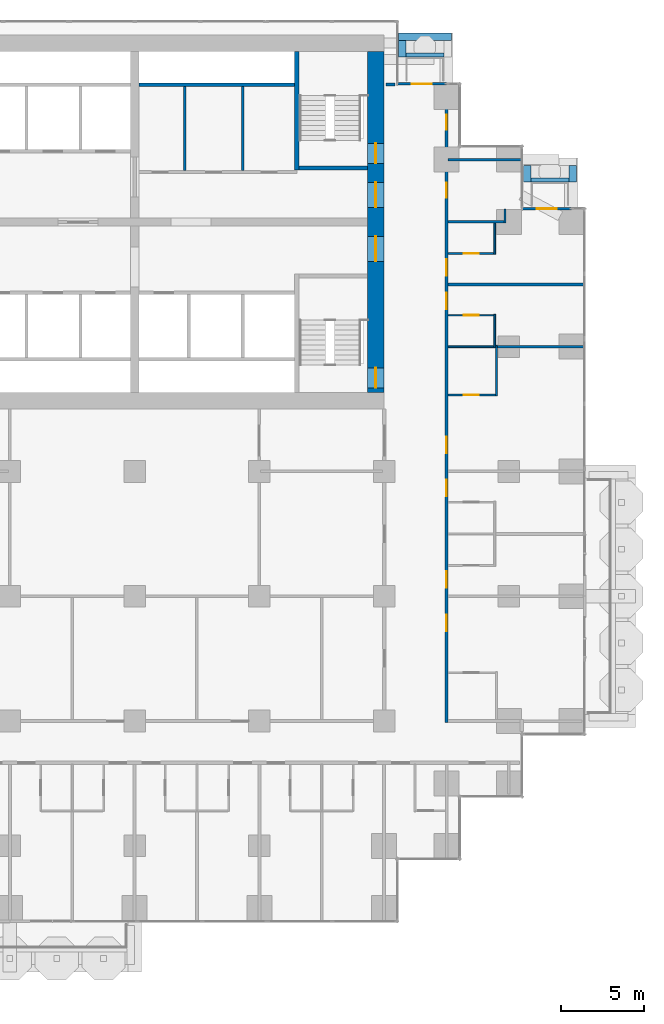
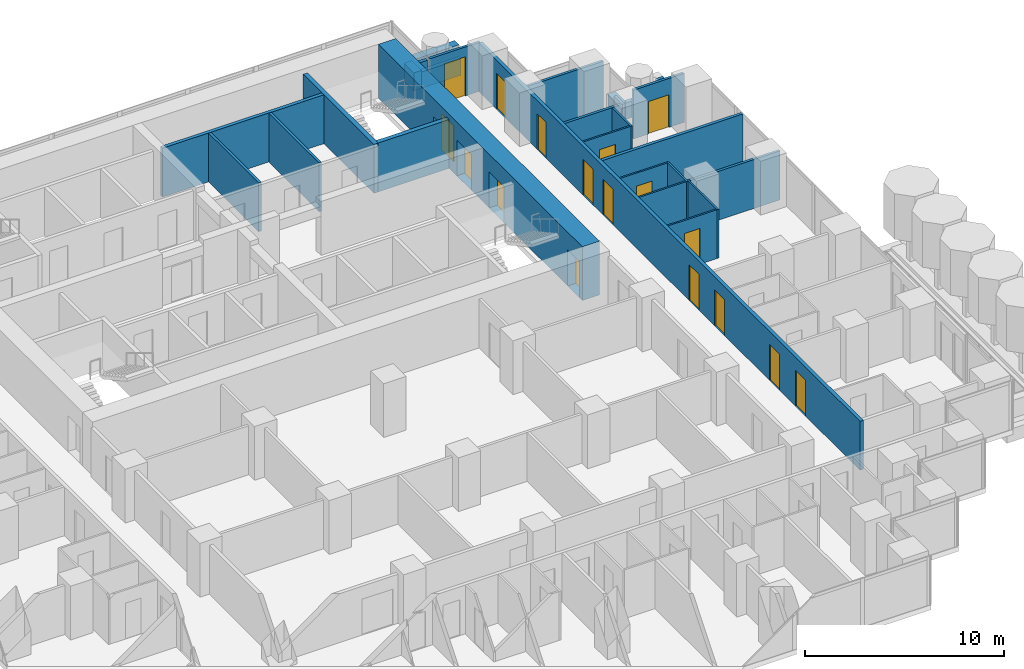
# One storey, part 15 of 19: 28 walls, 17 doors, 17 openings.
"""IFC4 building model written with IfcOpenShell, lengths in metres."""

import ifcopenshell
import ifcopenshell.guid

model = None  # the IFC model being written
_history = None  # IfcOwnerHistory: only IFC2X3 demands one
_inside = {}  # id of a spatial element -> (the spatial element, [elements in it])
_under = {}  # id of a project, library or spatial element -> (it, [spatial elements below it])
_declared = {}  # id of a project -> (the project, [libraries it declares])
_typed = {}  # id of a type object -> (the type object, [elements of that type])
_made_of = {}  # id of a material, layer set ... -> (it, [elements and type objects made of it])


def new_model(schema):
    """Start an empty IFC model of exactly this schema.

    Asked for "IFC4X3", IfcOpenShell would pick the latest addendum, in which some entities
    have other attributes; the version numbers below select the first issue.
    IFC2X3 requires an IfcOwnerHistory on every rooted entity: one is made here for all.
    """
    global model, _history
    if schema == "IFC4X3":
        model = ifcopenshell.file(schema_version=(4, 3, 0, 0))
    else:
        model = ifcopenshell.file(schema=schema)
    _inside.clear()
    _under.clear()
    _declared.clear()
    _typed.clear()
    _made_of.clear()
    _history = None
    if model.schema == "IFC2X3":
        org = make("IfcOrganization", Name="unknown")
        user = make(
            "IfcPersonAndOrganization",
            ThePerson=make("IfcPerson", FamilyName="unknown"),
            TheOrganization=org,
        )
        app = make(
            "IfcApplication",
            ApplicationDeveloper=org,
            Version="unknown",
            ApplicationFullName="unknown",
            ApplicationIdentifier="unknown",
        )
        _history = make(
            "IfcOwnerHistory",
            OwningUser=user,
            OwningApplication=app,
            ChangeAction="ADDED",
            CreationDate=0,
        )
    return model


def make(cls, **values):
    """One entity of the class cls with the attributes given. An attribute that is None is left unset."""
    return model.create_entity(
        cls, **{name: value for name, value in values.items() if value is not None}
    )


def rooted(cls, **values):
    """An entity with a GlobalId (a new one), such as an element, a storey or a relation."""
    return make(cls, GlobalId=ifcopenshell.guid.new(), OwnerHistory=_history, **values)


def si_unit(unit_type, name, prefix=None):
    """IfcSIUnit, for example si_unit("LENGTHUNIT", "METRE", prefix="MILLI")."""
    return make("IfcSIUnit", UnitType=unit_type, Prefix=prefix, Name=name)


def assignment(units):
    """IfcUnitAssignment: the units of a project."""
    return None if units is None else make("IfcUnitAssignment", Units=units)


def point(xyz):
    """IfcCartesianPoint."""
    return None if xyz is None else make("IfcCartesianPoint", Coordinates=xyz)


def direction(xyz):
    """IfcDirection."""
    return None if xyz is None else make("IfcDirection", DirectionRatios=xyz)


def frame(location, z_axis=None, x_axis=None):
    """IfcAxis2Placement3D, a coordinate frame: its origin and axes. An axis left out is left unset."""
    return make(
        "IfcAxis2Placement3D",
        Location=point(location),
        Axis=direction(z_axis),
        RefDirection=direction(x_axis),
    )


def frame_2d(location, x_axis=None):
    """IfcAxis2Placement2D, a coordinate frame in the plane: its origin and x axis."""
    return make(
        "IfcAxis2Placement2D", Location=point(location), RefDirection=direction(x_axis)
    )


def origin():
    """The frame at (0, 0, 0) with its axes left unset."""
    return frame((0.0, 0.0, 0.0))


def place(relative_to, where):
    """IfcLocalPlacement: puts the frame where relative to a parent placement (None: the world)."""
    return make(
        "IfcLocalPlacement", PlacementRelTo=relative_to, RelativePlacement=where
    )


def context(
    kind, dimensions, precision=None, world=None, true_north=None, identifier=None
):
    """IfcGeometricRepresentationContext, for example the 3D "Model" context."""
    return make(
        "IfcGeometricRepresentationContext",
        ContextIdentifier=identifier,
        ContextType=kind,
        CoordinateSpaceDimension=dimensions,
        Precision=precision,
        WorldCoordinateSystem=world,
        TrueNorth=true_north,
    )


def subcontext(parent, identifier, kind, view, scale=None):
    """IfcGeometricRepresentationSubContext, for example "Body" below "Model"."""
    return make(
        "IfcGeometricRepresentationSubContext",
        ContextIdentifier=identifier,
        ContextType=kind,
        ParentContext=parent,
        TargetScale=scale,
        TargetView=view,
    )


def project(units=None, contexts=None):
    """IfcProject with its units and contexts."""
    return rooted(
        "IfcProject",
        Name="project",
        RepresentationContexts=contexts,
        UnitsInContext=assignment(units),
    )


def spatial(cls, under=None, at=None, **own):
    """A site, building, storey or space (cls), placed at a placement, below another one or the project."""
    s = rooted(cls, ObjectPlacement=at, **own)
    if under is not None:
        _under.setdefault(under.id(), (under, []))[1].append(s)
    return s


def profile(cls, at=None, kind="AREA", **sizes):
    """A parametric profile (cls). Its sizes go by their IFC names, for example OverallWidth=200.0."""
    return make(cls, ProfileType=kind, Position=at, **sizes)


def rectangle(**sizes):
    """IfcRectangleProfileDef."""
    return profile("IfcRectangleProfileDef", **sizes)


def extrude(swept, where, along, depth):
    """IfcExtrudedAreaSolid: the profile swept, set in the frame where, extruded along a direction by depth."""
    return make(
        "IfcExtrudedAreaSolid",
        SweptArea=swept,
        Position=where,
        ExtrudedDirection=direction(along),
        Depth=depth,
    )


def shape(context_of_items, identifier, shape_type, items):
    """IfcShapeRepresentation: the items that make up one representation, for example the "Body"."""
    return make(
        "IfcShapeRepresentation",
        ContextOfItems=context_of_items,
        RepresentationIdentifier=identifier,
        RepresentationType=shape_type,
        Items=items,
    )


def material(Name=None, Category=None):
    """IfcMaterial."""
    return make("IfcMaterial", Name=Name, Category=Category)


def layer(
    of_material, thickness, ventilated=None, Name=None, Category=None, Priority=None
):
    """IfcMaterialLayer: one layer of a wall or slab, of a material (None: an air gap)."""
    return make(
        "IfcMaterialLayer",
        Material=of_material,
        LayerThickness=thickness,
        IsVentilated=ventilated,
        Name=Name,
        Category=Category,
        Priority=Priority,
    )


def layer_set(layers, Name=None):
    """IfcMaterialLayerSet."""
    return make("IfcMaterialLayerSet", MaterialLayers=layers, LayerSetName=Name)


def made_of(thing, what):
    """Note that an element or type object is made of a material, layer set ...; save() writes the relation."""
    if what is not None:
        _made_of.setdefault(what.id(), (what, []))[1].append(thing)
    return thing


def type_object(cls, material=None, **own):
    """A type object (cls), such as IfcWallType, which elements share."""
    return made_of(rooted(cls, **own), material)


def element(
    cls,
    number,
    at=None,
    inside=None,
    cuts=None,
    type_object=None,
    material=None,
    context=None,
    identifier="Body",
    shape_type=None,
    held_by="IfcProductDefinitionShape",
    body=None,
    shapes=None,
    **own,
):
    """One element of the class cls, such as IfcWall. Its Tag is "e" and its number.

    at: its placement. inside: the storey or other place that contains it. cuts: it is an
    opening in that element (IfcRelVoidsElement). A single representation is given by context,
    identifier, shape_type and body (its items); several are given by shapes. held_by: the class
    of the entity that holds the representations. save() writes the other relations.
    """
    e = rooted(cls, Tag="e%d" % number, ObjectPlacement=at, **own)
    if body is not None:
        shapes = [shape(context, identifier, shape_type, body)]
    if shapes is not None:
        e.Representation = make(held_by, Representations=shapes)
    if inside is not None:
        _inside.setdefault(inside.id(), (inside, []))[1].append(e)
    if cuts is not None:
        rooted(
            "IfcRelVoidsElement", RelatingBuildingElement=cuts, RelatedOpeningElement=e
        )
    if type_object is not None:
        _typed.setdefault(type_object.id(), (type_object, []))[1].append(e)
    return made_of(e, material)


def fill(opening, filler):
    """IfcRelFillsElement: the door or window that sits in an opening."""
    return rooted(
        "IfcRelFillsElement",
        RelatingOpeningElement=opening,
        RelatedBuildingElement=filler,
    )


def aggregate(whole, parts):
    """IfcRelAggregates: a whole, such as a stair, and the parts it consists of."""
    return rooted("IfcRelAggregates", RelatingObject=whole, RelatedObjects=parts)


def save(model, path):
    """Write the relations noted so far, then the file.

    IfcRelAggregates (storeys below a building ...), IfcRelContainedInSpatialStructure (elements
    in a storey), IfcRelDefinesByType, IfcRelAssociatesMaterial and IfcRelDeclares: one each for
    every whole, place, type object, material and project.
    """
    for whole, parts in _under.values():
        aggregate(whole, parts)
    for where, things in _inside.values():
        rooted(
            "IfcRelContainedInSpatialStructure",
            RelatedElements=things,
            RelatingStructure=where,
        )
    for kind, things in _typed.values():
        rooted("IfcRelDefinesByType", RelatedObjects=things, RelatingType=kind)
    for what, things in _made_of.values():
        rooted("IfcRelAssociatesMaterial", RelatedObjects=things, RelatingMaterial=what)
    for by, libraries in _declared.values():
        rooted("IfcRelDeclares", RelatingContext=by, RelatedDefinitions=libraries)
    model.write(path)


model = new_model("IFC4")

# Units and contexts
model_context = context("Model", 3, precision=1e-05, world=origin(), true_north=direction((0.0, 1.0)))
body_context = subcontext(model_context, "Body", "Model", "MODEL_VIEW")
ifc_project = project(units=[si_unit("LENGTHUNIT", "METRE"), si_unit("AREAUNIT", "SQUARE_METRE"), si_unit("VOLUMEUNIT", "CUBIC_METRE"), si_unit("PLANEANGLEUNIT", "RADIAN"), si_unit("MASSUNIT", "GRAM", prefix="KILO")], contexts=[model_context])

# Site, building, storey
site_placement = place(None, origin())
site = spatial("IfcSite", under=ifc_project, at=site_placement, CompositionType="ELEMENT")
building_placement = place(site_placement, origin())
building = spatial("IfcBuilding", under=site, at=building_placement, Name="Pilkhan Gate Tower", CompositionType="ELEMENT")
storey_placement = place(building_placement, frame((0.0, 0.0, 95.60009765625)))
storey = spatial("IfcBuildingStorey", under=building, at=storey_placement, Name="L23", CompositionType="ELEMENT", Elevation=95.60009765625)

# Walls
ifc_material_1 = material(Name="Dense blockwork", Category="masonry")
ifc_layer_1 = layer(ifc_material_1, 0.175048828125)
ifc_layer_set_1 = layer_set([ifc_layer_1], Name="Acoustic party wall PW175")
wall_type_1 = type_object("IfcWallType", Name="Acoustic party wall PW175", PredefinedType="PARTITIONING", material=ifc_layer_set_1)
wall_1_placement = place(storey_placement, frame((93.85009765625, 78.75, 0.0), z_axis=(0.0, 0.0, 1.0), x_axis=(1.0, 0.0, 0.0)))
element("IfcWall", 1, at=wall_1_placement, inside=storey, type_object=wall_type_1, Name="Partition L23", PredefinedType="PARTITIONING", context=body_context, shape_type="SweptSolid", body=[
    extrude(rectangle(XDim=8.164794921875, YDim=0.175048828125, at=frame_2d((4.08251953125, 0.0))), origin(), (0.0, 0.0, 1.0), 3.0),
])
ifc_material_2 = material(Name="Concrete C40/50", Category="concrete")
ifc_layer_2 = layer(ifc_material_2, 0.25)
ifc_layer_set_2 = layer_set([ifc_layer_2], Name="Balcony planter BP250")
wall_type_2 = type_object("IfcWallType", Name="Balcony planter BP250", PredefinedType="USERDEFINED", material=ifc_layer_set_2)
wall_2_placement = place(storey_placement, frame((91.300048828125, 92.52490234375, 0.0), z_axis=(0.0, 0.0, 1.0), x_axis=(1.0, 0.0, 0.0)))
element("IfcWall", 2, at=wall_2_placement, inside=storey, type_object=wall_type_2, Name="Balcony planter L23 N", ObjectType="BALCONY PLANTER", PredefinedType="USERDEFINED", context=body_context, shape_type="SweptSolid", body=[
    extrude(rectangle(XDim=2.300048828125, YDim=0.25, at=frame_2d((1.14990234375, 0.0))), origin(), (0.0, 0.0, 1.0), 1.0),
])
wall_3_placement = place(storey_placement, frame((98.820068359375, 85.02490234375, 0.0), z_axis=(0.0, 0.0, 1.0), x_axis=(1.0, 0.0, 0.0)))
element("IfcWall", 3, at=wall_3_placement, inside=storey, type_object=wall_type_2, Name="Balcony planter L23 N", ObjectType="BALCONY PLANTER", PredefinedType="USERDEFINED", context=body_context, shape_type="SweptSolid", body=[
    extrude(rectangle(XDim=2.280029296875, YDim=0.25, at=frame_2d((1.14013671875, 0.0))), origin(), (0.0, 0.0, 1.0), 1.0),
])
ifc_material_3 = material(Name="Board-marked Concrete C40/50", Category="concrete")
ifc_layer_3 = layer(ifc_material_3, 0.449951171875)
ifc_layer_set_3 = layer_set([ifc_layer_3], Name="Balcony planter lip BL450")
wall_type_3 = type_object("IfcWallType", Name="Balcony planter lip BL450", PredefinedType="USERDEFINED", material=ifc_layer_set_3)
wall_4_placement = place(storey_placement, frame((90.85009765625, 93.625, 0.0), z_axis=(0.0, 0.0, 1.0), x_axis=(1.0, 0.0, 0.0)))
element("IfcWall", 4, at=wall_4_placement, inside=storey, type_object=wall_type_3, Name="Balcony planter L23 N", ObjectType="BALCONY PLANTER", PredefinedType="USERDEFINED", context=body_context, shape_type="SweptSolid", body=[
    extrude(rectangle(XDim=3.199951171875, YDim=0.449951171875, at=frame_2d((1.60009765625, 0.0))), origin(), (0.0, 0.0, 1.0), 1.099853515625),
])
for number, where, z_axis, x_axis, name in (
    (5, (91.074951171875, 92.39990234375, 0.0), (0.0, 0.0, 1.0), (0.0, 1.0, 0.0), "Balcony planter L23 N"),
    (6, (98.594970703125, 84.89990234375, 0.0), (0.0, 0.0, 1.0), (0.0, 1.0, 0.0), "Balcony planter L23 N"),
    (7, (101.324951171875, 84.89990234375, 0.0), (0.0, 0.0, 1.0), (0.0, 1.0, 0.0), "Balcony planter L23 N"),
):
    element("IfcWall", number, at=place(storey_placement, frame(where, z_axis=z_axis, x_axis=x_axis)), inside=storey, type_object=wall_type_3, Name=name, ObjectType="BALCONY PLANTER", PredefinedType="USERDEFINED", context=body_context, shape_type="SweptSolid", body=[
        extrude(rectangle(XDim=1.0, YDim=0.449951171875, at=frame_2d((0.5, 0.0))), origin(), (0.0, 0.0, 1.0), 1.099853515625),
    ])

# Wall, openings, doors
ifc_material_4 = material(Name="Concrete C70/85", Category="concrete")
ifc_layer_4 = layer(ifc_material_4, 1.0)
ifc_layer_set_4 = layer_set([ifc_layer_4], Name="Core wall CW1000 C70/85")
wall_type_4 = type_object("IfcWallType", Name="Core wall CW1000 C70/85", PredefinedType="SHEAR", material=ifc_layer_set_4)
wall_5_placement = place(storey_placement, frame((89.5, 72.25, 0.0), z_axis=(0.0, 0.0, 1.0), x_axis=(0.0, 1.0, 0.0)))
wall_5 = element("IfcWall", 8, at=wall_5_placement, inside=storey, type_object=wall_type_4, Name="Core wall E L23", PredefinedType="SHEAR", context=body_context, shape_type="SweptSolid", body=[
    extrude(rectangle(XDim=20.5, YDim=1.0, at=frame_2d((10.25, 0.0))), origin(), (0.0, 0.0, 1.0), 3.2998046875),
])
opening_1_placement = place(wall_5_placement, frame((0.27490234375, 0.0, 0.0)))
opening_1 = element("IfcOpeningElement", 9, at=opening_1_placement, cuts=wall_5, Name="Opening L23-03", PredefinedType="OPENING", context=body_context, shape_type="SweptSolid", body=[
    extrude(rectangle(XDim=1.199951171875, YDim=2.199951171875, at=frame_2d((0.60009765625, 1.10009765625))), frame((0.0, 0.510009765625, 0.0), z_axis=(0.0, -1.0, 0.0), x_axis=(1.0, 0.0, 0.0)), (0.0, 0.0, 1.0), 1.02001953125),
])
opening_2_placement = place(wall_5_placement, frame((13.77490234375, 0.0, 0.0)))
opening_2 = element("IfcOpeningElement", 10, at=opening_2_placement, cuts=wall_5, Name="Opening L23-05", PredefinedType="OPENING", context=body_context, shape_type="SweptSolid", body=[
    extrude(rectangle(XDim=1.199951171875, YDim=2.199951171875, at=frame_2d((0.60009765625, 1.10009765625))), frame((0.0, 0.510009765625, 0.0), z_axis=(0.0, -1.0, 0.0), x_axis=(1.0, 0.0, 0.0)), (0.0, 0.0, 1.0), 1.02001953125),
])
opening_3_placement = place(wall_5_placement, frame((7.875, 0.0, 0.0)))
opening_3 = element("IfcOpeningElement", 11, at=opening_3_placement, cuts=wall_5, Name="Opening L23-50", PredefinedType="OPENING", context=body_context, shape_type="SweptSolid", body=[
    extrude(rectangle(XDim=1.5, YDim=2.199951171875, at=frame_2d((0.75, 1.10009765625))), frame((0.0, 0.510009765625, 0.0), z_axis=(0.0, -1.0, 0.0), x_axis=(1.0, 0.0, 0.0)), (0.0, 0.0, 1.0), 1.02001953125),
])
opening_4_placement = place(wall_5_placement, frame((11.125, 0.0, 0.0)))
opening_4 = element("IfcOpeningElement", 12, at=opening_4_placement, cuts=wall_5, Name="Opening L23-52", PredefinedType="OPENING", context=body_context, shape_type="SweptSolid", body=[
    extrude(rectangle(XDim=1.5, YDim=2.199951171875, at=frame_2d((0.75, 1.10009765625))), frame((0.0, 0.510009765625, 0.0), z_axis=(0.0, -1.0, 0.0), x_axis=(1.0, 0.0, 0.0)), (0.0, 0.0, 1.0), 1.02001953125),
])
ifc_material_5 = material(Name="Steel framed glazed door, 60 minute fire resisting", Category="steel")
door_type_1 = type_object("IfcDoorType", Name="Lobby door D09 1500x2200", OperationType="DOUBLE_DOOR_SINGLE_SWING", PredefinedType="DOOR", material=ifc_material_5)
door_1_placement = place(opening_3_placement, origin())
door_1 = element("IfcDoor", 13, at=door_1_placement, inside=storey, type_object=door_type_1, Name="Core door", OperationType="DOUBLE_DOOR_SINGLE_SWING", OverallHeight=2.199951171875, OverallWidth=1.5, PredefinedType="DOOR", context=body_context, shape_type="SweptSolid", body=[
    extrude(rectangle(XDim=1.5, YDim=2.199951171875, at=frame_2d((0.75, 1.10009765625))), frame((0.0, 0.02490234375, 0.0), z_axis=(0.0, -1.0, 0.0), x_axis=(1.0, 0.0, 0.0)), (0.0, 0.0, 1.0), 0.050048828125),
])
fill(opening_3, door_1)
door_2_placement = place(opening_4_placement, origin())
door_2 = element("IfcDoor", 14, at=door_2_placement, inside=storey, type_object=door_type_1, Name="Core door", OperationType="DOUBLE_DOOR_SINGLE_SWING", OverallHeight=2.199951171875, OverallWidth=1.5, PredefinedType="DOOR", context=body_context, shape_type="SweptSolid", body=[
    extrude(rectangle(XDim=1.5, YDim=2.199951171875, at=frame_2d((0.75, 1.10009765625))), frame((0.0, 0.02490234375, 0.0), z_axis=(0.0, -1.0, 0.0), x_axis=(1.0, 0.0, 0.0)), (0.0, 0.0, 1.0), 0.050048828125),
])
fill(opening_4, door_2)
ifc_material_6 = material(Name="Steel door, 120 minute fire resisting, panic bar", Category="steel")
door_type_2 = type_object("IfcDoorType", Name="Stair door D11 1200x2200", OperationType="SINGLE_SWING_LEFT", PredefinedType="DOOR", material=ifc_material_6)
door_3_placement = place(opening_1_placement, origin())
door_3 = element("IfcDoor", 15, at=door_3_placement, inside=storey, type_object=door_type_2, Name="Stair ST1 door", OperationType="SINGLE_SWING_LEFT", OverallHeight=2.199951171875, OverallWidth=1.199951171875, PredefinedType="DOOR", context=body_context, shape_type="SweptSolid", body=[
    extrude(rectangle(XDim=1.199951171875, YDim=2.199951171875, at=frame_2d((0.60009765625, 1.10009765625))), frame((0.0, 0.02490234375, 0.0), z_axis=(0.0, -1.0, 0.0), x_axis=(1.0, 0.0, 0.0)), (0.0, 0.0, 1.0), 0.050048828125),
])
fill(opening_1, door_3)
door_4_placement = place(opening_2_placement, origin())
door_4 = element("IfcDoor", 16, at=door_4_placement, inside=storey, type_object=door_type_2, Name="Stair ST4 door", OperationType="SINGLE_SWING_RIGHT", OverallHeight=2.199951171875, OverallWidth=1.199951171875, PredefinedType="DOOR", context=body_context, shape_type="SweptSolid", body=[
    extrude(rectangle(XDim=1.199951171875, YDim=2.199951171875, at=frame_2d((0.60009765625, 1.10009765625))), frame((0.0, 0.02490234375, 0.0), z_axis=(0.0, -1.0, 0.0), x_axis=(1.0, 0.0, 0.0)), (0.0, 0.0, 1.0), 0.050048828125),
])
fill(opening_2, door_4)

# Wall
ifc_layer_5 = layer(ifc_material_1, 0.199951171875)
ifc_layer_set_5 = layer_set([ifc_layer_5], Name="Corridor wall FW200")
wall_type_5 = type_object("IfcWallType", Name="Corridor wall FW200", PredefinedType="PARTITIONING", material=ifc_layer_set_5)
wall_6_placement = place(storey_placement, frame((90.1201171875, 90.764892578125, 0.0), z_axis=(0.0, 0.0, 1.0), x_axis=(1.0, 0.0, 0.0)))
element("IfcWall", 17, at=wall_6_placement, inside=storey, type_object=wall_type_5, Name="Partition L23", PredefinedType="PARTITIONING", context=body_context, shape_type="SweptSolid", body=[
    extrude(rectangle(XDim=0.52490234375, YDim=0.199951171875, at=frame_2d((0.262451171875, 0.0))), origin(), (0.0, 0.0, 1.0), 3.0),
])

# Wall, openings, doors
wall_7_placement = place(storey_placement, frame((93.75, 52.39990234375, 0.0), z_axis=(0.0, 0.0, 1.0), x_axis=(0.0, 1.0, 0.0)))
wall_7 = element("IfcWall", 18, at=wall_7_placement, inside=storey, type_object=wall_type_5, Name="Partition L23", PredefinedType="PARTITIONING", context=body_context, shape_type="SweptSolid", body=[
    extrude(rectangle(XDim=38.31005859375, YDim=0.199951171875, at=frame_2d((19.155029296875, 0.0))), origin(), (0.0, 0.0, 1.0), 3.0),
])
opening_5_placement = place(wall_7_placement, frame((5.5, 0.0, 0.0)))
opening_5 = element("IfcOpeningElement", 19, at=opening_5_placement, cuts=wall_7, Name="Opening L23-38", PredefinedType="OPENING", context=body_context, shape_type="SweptSolid", body=[
    extrude(rectangle(XDim=1.0, YDim=2.199951171875, at=frame_2d((0.5, 1.10009765625))), frame((0.0, 0.10986328125, 0.0), z_axis=(0.0, -1.0, 0.0), x_axis=(1.0, 0.0, 0.0)), (0.0, 0.0, 1.0), 0.219970703125),
])
opening_6_placement = place(wall_7_placement, frame((8.10009765625, 0.0, 0.0)))
opening_6 = element("IfcOpeningElement", 20, at=opening_6_placement, cuts=wall_7, Name="Opening L23-40", PredefinedType="OPENING", context=body_context, shape_type="SweptSolid", body=[
    extrude(rectangle(XDim=1.0, YDim=2.199951171875, at=frame_2d((0.5, 1.10009765625))), frame((0.0, 0.10986328125, 0.0), z_axis=(0.0, -1.0, 0.0), x_axis=(1.0, 0.0, 0.0)), (0.0, 0.0, 1.0), 0.219970703125),
])
opening_7_placement = place(wall_7_placement, frame((13.60009765625, 0.0, 0.0)))
opening_7 = element("IfcOpeningElement", 21, at=opening_7_placement, cuts=wall_7, Name="Opening L23-42", PredefinedType="OPENING", context=body_context, shape_type="SweptSolid", body=[
    extrude(rectangle(XDim=1.0, YDim=2.199951171875, at=frame_2d((0.5, 1.10009765625))), frame((0.0, 0.10986328125, 0.0), z_axis=(0.0, -1.0, 0.0), x_axis=(1.0, 0.0, 0.0)), (0.0, 0.0, 1.0), 0.219970703125),
])
opening_8_placement = place(wall_7_placement, frame((16.199951171875, 0.0, 0.0)))
opening_8 = element("IfcOpeningElement", 22, at=opening_8_placement, cuts=wall_7, Name="Opening L23-44", PredefinedType="OPENING", context=body_context, shape_type="SweptSolid", body=[
    extrude(rectangle(XDim=1.0, YDim=2.199951171875, at=frame_2d((0.5, 1.10009765625))), frame((0.0, 0.10986328125, 0.0), z_axis=(0.0, -1.0, 0.0), x_axis=(1.0, 0.0, 0.0)), (0.0, 0.0, 1.0), 0.219970703125),
])
opening_9_placement = place(wall_7_placement, frame((24.85009765625, 0.0, 0.0)))
opening_9 = element("IfcOpeningElement", 23, at=opening_9_placement, cuts=wall_7, Name="Opening L23-46", PredefinedType="OPENING", context=body_context, shape_type="SweptSolid", body=[
    extrude(rectangle(XDim=1.0, YDim=2.199951171875, at=frame_2d((0.5, 1.10009765625))), frame((0.0, 0.10986328125, 0.0), z_axis=(0.0, -1.0, 0.0), x_axis=(1.0, 0.0, 0.0)), (0.0, 0.0, 1.0), 0.219970703125),
])
opening_10_placement = place(wall_7_placement, frame((26.85009765625, 0.0, 0.0)))
opening_10 = element("IfcOpeningElement", 24, at=opening_10_placement, cuts=wall_7, Name="Opening L23-48", PredefinedType="OPENING", context=body_context, shape_type="SweptSolid", body=[
    extrude(rectangle(XDim=1.0, YDim=2.199951171875, at=frame_2d((0.5, 1.10009765625))), frame((0.0, 0.10986328125, 0.0), z_axis=(0.0, -1.0, 0.0), x_axis=(1.0, 0.0, 0.0)), (0.0, 0.0, 1.0), 0.219970703125),
])
opening_11_placement = place(wall_7_placement, frame((31.550048828125, 0.0, 0.0)))
opening_11 = element("IfcOpeningElement", 25, at=opening_11_placement, cuts=wall_7, Name="Opening L23-60", PredefinedType="OPENING", context=body_context, shape_type="SweptSolid", body=[
    extrude(rectangle(XDim=0.89990234375, YDim=2.199951171875, at=frame_2d((0.449951171875, 1.10009765625))), frame((0.0, 0.10986328125, 0.0), z_axis=(0.0, -1.0, 0.0), x_axis=(1.0, 0.0, 0.0)), (0.0, 0.0, 1.0), 0.219970703125),
])
opening_12_placement = place(wall_7_placement, frame((35.64990234375, 0.0, 0.0)))
opening_12 = element("IfcOpeningElement", 26, at=opening_12_placement, cuts=wall_7, Name="Opening L23-61", PredefinedType="OPENING", context=body_context, shape_type="SweptSolid", body=[
    extrude(rectangle(XDim=0.89990234375, YDim=2.199951171875, at=frame_2d((0.449951171875, 1.10009765625))), frame((0.0, 0.10986328125, 0.0), z_axis=(0.0, -1.0, 0.0), x_axis=(1.0, 0.0, 0.0)), (0.0, 0.0, 1.0), 0.219970703125),
])
ifc_material_7 = material(Name="Timber flush door, 30 minute fire resisting", Category="wood")
door_type_3 = type_object("IfcDoorType", Name="Guest room door D01 1000x2200", OperationType="SINGLE_SWING_LEFT", PredefinedType="DOOR", material=ifc_material_7)
door_5_placement = place(opening_5_placement, origin())
door_5 = element("IfcDoor", 27, at=door_5_placement, inside=storey, type_object=door_type_3, Name="Guest room door", OperationType="SINGLE_SWING_LEFT", OverallHeight=2.199951171875, OverallWidth=1.0, PredefinedType="DOOR", context=body_context, shape_type="SweptSolid", body=[
    extrude(rectangle(XDim=1.0, YDim=2.199951171875, at=frame_2d((0.5, 1.10009765625))), frame((0.0, 0.02490234375, 0.0), z_axis=(0.0, -1.0, 0.0), x_axis=(1.0, 0.0, 0.0)), (0.0, 0.0, 1.0), 0.050048828125),
])
fill(opening_5, door_5)
door_6_placement = place(opening_6_placement, origin())
door_6 = element("IfcDoor", 28, at=door_6_placement, inside=storey, type_object=door_type_3, Name="Guest room door", OperationType="SINGLE_SWING_RIGHT", OverallHeight=2.199951171875, OverallWidth=1.0, PredefinedType="DOOR", context=body_context, shape_type="SweptSolid", body=[
    extrude(rectangle(XDim=1.0, YDim=2.199951171875, at=frame_2d((0.5, 1.10009765625))), frame((0.0, 0.02490234375, 0.0), z_axis=(0.0, -1.0, 0.0), x_axis=(1.0, 0.0, 0.0)), (0.0, 0.0, 1.0), 0.050048828125),
])
fill(opening_6, door_6)
door_7_placement = place(opening_7_placement, origin())
door_7 = element("IfcDoor", 29, at=door_7_placement, inside=storey, type_object=door_type_3, Name="Guest room door", OperationType="SINGLE_SWING_RIGHT", OverallHeight=2.199951171875, OverallWidth=1.0, PredefinedType="DOOR", context=body_context, shape_type="SweptSolid", body=[
    extrude(rectangle(XDim=1.0, YDim=2.199951171875, at=frame_2d((0.5, 1.10009765625))), frame((0.0, 0.02490234375, 0.0), z_axis=(0.0, -1.0, 0.0), x_axis=(1.0, 0.0, 0.0)), (0.0, 0.0, 1.0), 0.050048828125),
])
fill(opening_7, door_7)
door_8_placement = place(opening_8_placement, origin())
door_8 = element("IfcDoor", 30, at=door_8_placement, inside=storey, type_object=door_type_3, Name="Guest room door", OperationType="SINGLE_SWING_LEFT", OverallHeight=2.199951171875, OverallWidth=1.0, PredefinedType="DOOR", context=body_context, shape_type="SweptSolid", body=[
    extrude(rectangle(XDim=1.0, YDim=2.199951171875, at=frame_2d((0.5, 1.10009765625))), frame((0.0, 0.02490234375, 0.0), z_axis=(0.0, -1.0, 0.0), x_axis=(1.0, 0.0, 0.0)), (0.0, 0.0, 1.0), 0.050048828125),
])
fill(opening_8, door_8)
door_9_placement = place(opening_9_placement, origin())
door_9 = element("IfcDoor", 31, at=door_9_placement, inside=storey, type_object=door_type_3, Name="Guest room door", OperationType="SINGLE_SWING_RIGHT", OverallHeight=2.199951171875, OverallWidth=1.0, PredefinedType="DOOR", context=body_context, shape_type="SweptSolid", body=[
    extrude(rectangle(XDim=1.0, YDim=2.199951171875, at=frame_2d((0.5, 1.10009765625))), frame((0.0, 0.02490234375, 0.0), z_axis=(0.0, -1.0, 0.0), x_axis=(1.0, 0.0, 0.0)), (0.0, 0.0, 1.0), 0.050048828125),
])
fill(opening_9, door_9)
door_10_placement = place(opening_10_placement, origin())
door_10 = element("IfcDoor", 32, at=door_10_placement, inside=storey, type_object=door_type_3, Name="Guest room door", OperationType="SINGLE_SWING_LEFT", OverallHeight=2.199951171875, OverallWidth=1.0, PredefinedType="DOOR", context=body_context, shape_type="SweptSolid", body=[
    extrude(rectangle(XDim=1.0, YDim=2.199951171875, at=frame_2d((0.5, 1.10009765625))), frame((0.0, 0.02490234375, 0.0), z_axis=(0.0, -1.0, 0.0), x_axis=(1.0, 0.0, 0.0)), (0.0, 0.0, 1.0), 0.050048828125),
])
fill(opening_10, door_10)
ifc_material_8 = material(Name="Timber flush door, 60 minute fire resisting, self-closing", Category="wood")
door_type_4 = type_object("IfcDoorType", Name="Store door D05 900x2200", OperationType="SINGLE_SWING_LEFT", PredefinedType="DOOR", material=ifc_material_8)
door_11_placement = place(opening_11_placement, origin())
door_11 = element("IfcDoor", 33, at=door_11_placement, inside=storey, type_object=door_type_4, Name="Store door", OperationType="SINGLE_SWING_RIGHT", OverallHeight=2.199951171875, OverallWidth=0.89990234375, PredefinedType="DOOR", context=body_context, shape_type="SweptSolid", body=[
    extrude(rectangle(XDim=0.89990234375, YDim=2.199951171875, at=frame_2d((0.449951171875, 1.10009765625))), frame((0.0, 0.02490234375, 0.0), z_axis=(0.0, -1.0, 0.0), x_axis=(1.0, 0.0, 0.0)), (0.0, 0.0, 1.0), 0.050048828125),
])
fill(opening_11, door_11)
door_12_placement = place(opening_12_placement, origin())
door_12 = element("IfcDoor", 34, at=door_12_placement, inside=storey, type_object=door_type_4, Name="Store door", OperationType="SINGLE_SWING_LEFT", OverallHeight=2.199951171875, OverallWidth=0.89990234375, PredefinedType="DOOR", context=body_context, shape_type="SweptSolid", body=[
    extrude(rectangle(XDim=0.89990234375, YDim=2.199951171875, at=frame_2d((0.449951171875, 1.10009765625))), frame((0.0, 0.02490234375, 0.0), z_axis=(0.0, -1.0, 0.0), x_axis=(1.0, 0.0, 0.0)), (0.0, 0.0, 1.0), 0.050048828125),
])
fill(opening_12, door_12)

# Wall, opening, door
ifc_material_9 = material(Name="Pale anodised aluminium, clear laminated glazing", Category="aluminium")
ifc_layer_6 = layer(ifc_material_9, 0.14990234375)
ifc_layer_set_6 = layer_set([ifc_layer_6], Name="Facade infill wall IW150")
wall_type_6 = type_object("IfcWallType", Name="Facade infill wall IW150", PredefinedType="SOLIDWALL", material=ifc_layer_set_6)
wall_8_placement = place(storey_placement, frame((98.294921875, 83.294921875, 0.0), z_axis=(0.0, 0.0, 1.0), x_axis=(1.0, 0.0, 0.0)))
wall_8 = element("IfcWall", 35, at=wall_8_placement, inside=storey, type_object=wall_type_6, Name="Infill wall L23 N", PredefinedType="SOLIDWALL", context=body_context, shape_type="SweptSolid", body=[
    extrude(rectangle(XDim=2.955078125, YDim=0.14990234375, at=frame_2d((1.4775390625, 0.0))), origin(), (0.0, 0.0, 1.0), 3.0),
])
opening_13_placement = place(wall_8_placement, frame((0.87744140625, 0.0, 0.0)))
opening_13 = element("IfcOpeningElement", 36, at=opening_13_placement, cuts=wall_8, Name="Opening D1L", PredefinedType="OPENING", context=body_context, shape_type="SweptSolid", body=[
    extrude(rectangle(XDim=1.199951171875, YDim=2.0, at=frame_2d((0.60009765625, 1.0))), frame((0.0, 0.0849609375, 0.0), z_axis=(0.0, -1.0, 0.0), x_axis=(1.0, 0.0, 0.0)), (0.0, 0.0, 1.0), 0.169921875),
])
ifc_material_10 = material(Name="Pale anodised aluminium, clear glazing", Category="aluminium")
door_type_5 = type_object("IfcDoorType", Name="Balcony door D1L 1200x2000", OperationType="SINGLE_SWING_LEFT", PredefinedType="DOOR", material=ifc_material_10)
door_13_placement = place(opening_13_placement, origin())
door_13 = element("IfcDoor", 37, at=door_13_placement, inside=storey, type_object=door_type_5, Name="Balcony door L23", OperationType="SINGLE_SWING_LEFT", OverallHeight=2.0, OverallWidth=1.199951171875, PredefinedType="DOOR", context=body_context, shape_type="SweptSolid", body=[
    extrude(rectangle(XDim=1.199951171875, YDim=2.0, at=frame_2d((0.60009765625, 1.0))), frame((0.0, 0.02490234375, 0.0), z_axis=(0.0, -1.0, 0.0), x_axis=(1.0, 0.0, 0.0)), (0.0, 0.0, 1.0), 0.050048828125),
])
fill(opening_13, door_13)

wall_9_placement = place(storey_placement, frame((90.794921875, 90.794921875, 0.0), z_axis=(0.0, 0.0, 1.0), x_axis=(1.0, 0.0, 0.0)))
wall_9 = element("IfcWall", 38, at=wall_9_placement, inside=storey, type_object=wall_type_6, Name="Infill wall L23 N", PredefinedType="SOLIDWALL", context=body_context, shape_type="SweptSolid", body=[
    extrude(rectangle(XDim=2.955078125, YDim=0.14990234375, at=frame_2d((1.4775390625, 0.0))), origin(), (0.0, 0.0, 1.0), 3.0),
])
opening_14_placement = place(wall_9_placement, frame((0.87744140625, 0.0, 0.0)))
opening_14 = element("IfcOpeningElement", 39, at=opening_14_placement, cuts=wall_9, Name="Opening D1", PredefinedType="OPENING", context=body_context, shape_type="SweptSolid", body=[
    extrude(rectangle(XDim=1.199951171875, YDim=2.39990234375, at=frame_2d((0.60009765625, 1.199951171875))), frame((0.0, 0.0849609375, 0.0), z_axis=(0.0, -1.0, 0.0), x_axis=(1.0, 0.0, 0.0)), (0.0, 0.0, 1.0), 0.169921875),
])
door_type_6 = type_object("IfcDoorType", Name="Balcony door D1 1200x2400", OperationType="SINGLE_SWING_LEFT", PredefinedType="DOOR", material=ifc_material_10)
door_14_placement = place(opening_14_placement, origin())
door_14 = element("IfcDoor", 40, at=door_14_placement, inside=storey, type_object=door_type_6, Name="Balcony door L23", OperationType="SINGLE_SWING_LEFT", OverallHeight=2.39990234375, OverallWidth=1.199951171875, PredefinedType="DOOR", context=body_context, shape_type="SweptSolid", body=[
    extrude(rectangle(XDim=1.199951171875, YDim=2.39990234375, at=frame_2d((0.60009765625, 1.199951171875))), frame((0.0, 0.02490234375, 0.0), z_axis=(0.0, -1.0, 0.0), x_axis=(1.0, 0.0, 0.0)), (0.0, 0.0, 1.0), 0.050048828125),
])
fill(opening_14, door_14)

# Walls
ifc_layer_7 = layer(ifc_material_1, 0.199951171875)
ifc_layer_set_7 = layer_set([ifc_layer_7], Name="Lobby wall LW200")
wall_type_7 = type_object("IfcWallType", Name="Lobby wall LW200", PredefinedType="PARTITIONING", material=ifc_layer_set_7)
wall_10_placement = place(storey_placement, frame((75.260009765625, 90.75, 0.0), z_axis=(0.0, 0.0, 1.0), x_axis=(1.0, 0.0, 0.0)))
element("IfcWall", 41, at=wall_10_placement, inside=storey, type_object=wall_type_7, Name="Partition L23", PredefinedType="PARTITIONING", context=body_context, shape_type="SweptSolid", body=[
    extrude(rectangle(XDim=9.364990234375, YDim=0.199951171875, at=frame_2d((4.6826171875, 0.0))), origin(), (0.0, 0.0, 1.0), 3.0),
])
ifc_material_11 = material(Name="Blockwork partition, plastered both sides", Category="masonry")
ifc_layer_8 = layer(ifc_material_11, 0.14990234375)
ifc_layer_set_8 = layer_set([ifc_layer_8], Name="Partition PW150")
wall_type_8 = type_object("IfcWallType", Name="Partition PW150", PredefinedType="PARTITIONING", material=ifc_layer_set_8)
wall_11_placement = place(storey_placement, frame((96.800048828125, 75.0, 0.0), z_axis=(0.0, 0.0, 1.0), x_axis=(1.0, 0.0, 0.0)))
element("IfcWall", 42, at=wall_11_placement, inside=storey, type_object=wall_type_8, Name="Partition L23", PredefinedType="PARTITIONING", context=body_context, shape_type="SweptSolid", body=[
    extrude(rectangle(XDim=5.21484375, YDim=0.14990234375, at=frame_2d((2.607421875, 0.0))), origin(), (0.0, 0.0, 1.0), 3.0),
])
wall_12_placement = place(storey_placement, frame((93.85009765625, 82.5, 0.0), z_axis=(0.0, 0.0, 1.0), x_axis=(1.0, 0.0, 0.0)))
element("IfcWall", 43, at=wall_12_placement, inside=storey, type_object=wall_type_8, Name="Partition L23", PredefinedType="PARTITIONING", context=body_context, shape_type="SweptSolid", body=[
    extrude(rectangle(XDim=3.33984375, YDim=0.14990234375, at=frame_2d((1.669921875, 0.0))), origin(), (0.0, 0.0, 1.0), 3.0),
])
wall_13_placement = place(storey_placement, frame((93.85009765625, 86.25, 0.0), z_axis=(0.0, 0.0, 1.0), x_axis=(1.0, 0.0, 0.0)))
element("IfcWall", 44, at=wall_13_placement, inside=storey, type_object=wall_type_8, Name="Partition L23", PredefinedType="PARTITIONING", context=body_context, shape_type="SweptSolid", body=[
    extrude(rectangle(XDim=4.414794921875, YDim=0.14990234375, at=frame_2d((2.20751953125, 0.0))), origin(), (0.0, 0.0, 1.0), 3.0),
])
for number, where, z_axis, x_axis, name in (
    (45, (78.0, 85.60009765625, 0.0), (0.0, 0.0, 1.0), (0.0, 1.0, 0.0), "Partition L23"),
    (46, (81.5, 85.60009765625, 0.0), (0.0, 0.0, 1.0), (0.0, 1.0, 0.0), "Partition L23"),
):
    element("IfcWall", number, at=place(storey_placement, frame(where, z_axis=z_axis, x_axis=x_axis)), inside=storey, type_object=wall_type_8, Name=name, PredefinedType="PARTITIONING", context=body_context, shape_type="SweptSolid", body=[
        extrude(rectangle(XDim=5.0498046875, YDim=0.14990234375, at=frame_2d((2.52490234375, 0.0))), origin(), (0.0, 0.0, 1.0), 3.0),
    ])
wall_14_placement = place(storey_placement, frame((97.264892578125, 82.425048828125, 0.0), z_axis=(0.0, 0.0, 1.0), x_axis=(0.0, 1.0, 0.0)))
element("IfcWall", 47, at=wall_14_placement, inside=storey, type_object=wall_type_8, Name="Partition L23", PredefinedType="PARTITIONING", context=body_context, shape_type="SweptSolid", body=[
    extrude(rectangle(XDim=0.83984375, YDim=0.14990234375, at=frame_2d((0.419921875, 0.0))), origin(), (0.0, 0.0, 1.0), 3.0),
])
ifc_material_12 = material(Name="Reinforced blockwork, 120 minute fire resisting", Category="masonry")
ifc_layer_9 = layer(ifc_material_12, 0.25)
ifc_layer_set_9 = layer_set([ifc_layer_9], Name="Stair enclosure wall SE250")
wall_type_9 = type_object("IfcWallType", Name="Stair enclosure wall SE250", PredefinedType="PARTITIONING", material=ifc_layer_set_9)
wall_15_placement = place(storey_placement, frame((84.875, 85.75, 0.0), z_axis=(0.0, 0.0, 1.0), x_axis=(1.0, 0.0, 0.0)))
element("IfcWall", 48, at=wall_15_placement, inside=storey, type_object=wall_type_9, Name="Partition L23", PredefinedType="PARTITIONING", context=body_context, shape_type="SweptSolid", body=[
    extrude(rectangle(XDim=4.114990234375, YDim=0.25, at=frame_2d((2.0576171875, 0.0))), origin(), (0.0, 0.0, 1.0), 3.0),
])
wall_16_placement = place(storey_placement, frame((84.75, 85.625, 0.0), z_axis=(0.0, 0.0, 1.0), x_axis=(0.0, 1.0, 0.0)))
element("IfcWall", 49, at=wall_16_placement, inside=storey, type_object=wall_type_9, Name="Partition L23", PredefinedType="PARTITIONING", context=body_context, shape_type="SweptSolid", body=[
    extrude(rectangle(XDim=7.114990234375, YDim=0.25, at=frame_2d((3.5576171875, 0.0))), origin(), (0.0, 0.0, 1.0), 3.0),
])

# Wall, opening, door
ifc_material_13 = material(Name="Moisture resistant board, tiled")
ifc_layer_10 = layer(ifc_material_13, 0.10009765625)
ifc_layer_set_10 = layer_set([ifc_layer_10], Name="Wet wall PW100")
wall_type_10 = type_object("IfcWallType", Name="Wet wall PW100", PredefinedType="PARTITIONING", material=ifc_layer_set_10)
wall_17_placement = place(storey_placement, frame((93.85009765625, 72.10009765625, 0.0), z_axis=(0.0, 0.0, 1.0), x_axis=(1.0, 0.0, 0.0)))
wall_17 = element("IfcWall", 50, at=wall_17_placement, inside=storey, type_object=wall_type_10, Name="Partition L23", PredefinedType="PARTITIONING", context=body_context, shape_type="SweptSolid", body=[
    extrude(rectangle(XDim=2.849853515625, YDim=0.10009765625, at=frame_2d((1.4248046875, 0.0))), origin(), (0.0, 0.0, 1.0), 3.0),
])
opening_15_placement = place(wall_17_placement, frame((0.949951171875, 0.0, 0.0)))
opening_15 = element("IfcOpeningElement", 51, at=opening_15_placement, cuts=wall_17, Name="Opening L23-45", PredefinedType="OPENING", context=body_context, shape_type="SweptSolid", body=[
    extrude(rectangle(XDim=0.89990234375, YDim=2.199951171875, at=frame_2d((0.449951171875, 1.10009765625))), frame((0.0, 0.06005859375, 0.0), z_axis=(0.0, -1.0, 0.0), x_axis=(1.0, 0.0, 0.0)), (0.0, 0.0, 1.0), 0.1201171875),
])
ifc_material_14 = material(Name="Timber flush door", Category="wood")
door_type_7 = type_object("IfcDoorType", Name="Bathroom door D02 900x2200", OperationType="SINGLE_SWING_RIGHT", PredefinedType="DOOR", material=ifc_material_14)
door_15_placement = place(opening_15_placement, origin())
door_15 = element("IfcDoor", 52, at=door_15_placement, inside=storey, type_object=door_type_7, Name="Bathroom door", OperationType="SINGLE_SWING_RIGHT", OverallHeight=2.199951171875, OverallWidth=0.89990234375, PredefinedType="DOOR", context=body_context, shape_type="SweptSolid", body=[
    extrude(rectangle(XDim=0.89990234375, YDim=2.199951171875, at=frame_2d((0.449951171875, 1.10009765625))), frame((0.0, 0.02490234375, 0.0), z_axis=(0.0, -1.0, 0.0), x_axis=(1.0, 0.0, 0.0)), (0.0, 0.0, 1.0), 0.050048828125),
])
fill(opening_15, door_15)

# Wall
wall_18_placement = place(storey_placement, frame((93.85009765625, 75.0, 0.0), z_axis=(0.0, 0.0, 1.0), x_axis=(1.0, 0.0, 0.0)))
element("IfcWall", 53, at=wall_18_placement, inside=storey, type_object=wall_type_10, Name="Partition L23", PredefinedType="PARTITIONING", context=body_context, shape_type="SweptSolid", body=[
    extrude(rectangle(XDim=2.75, YDim=0.10009765625, at=frame_2d((1.375, 0.0))), origin(), (0.0, 0.0, 1.0), 3.0),
])

# Wall, opening, door
wall_19_placement = place(storey_placement, frame((93.85009765625, 76.89990234375, 0.0), z_axis=(0.0, 0.0, 1.0), x_axis=(1.0, 0.0, 0.0)))
wall_19 = element("IfcWall", 54, at=wall_19_placement, inside=storey, type_object=wall_type_10, Name="Partition L23", PredefinedType="PARTITIONING", context=body_context, shape_type="SweptSolid", body=[
    extrude(rectangle(XDim=2.75, YDim=0.10009765625, at=frame_2d((1.375, 0.0))), origin(), (0.0, 0.0, 1.0), 3.0),
])
opening_16_placement = place(wall_19_placement, frame((0.949951171875, 0.0, 0.0)))
opening_16 = element("IfcOpeningElement", 55, at=opening_16_placement, cuts=wall_19, Name="Opening L23-47", PredefinedType="OPENING", context=body_context, shape_type="SweptSolid", body=[
    extrude(rectangle(XDim=0.89990234375, YDim=2.199951171875, at=frame_2d((0.449951171875, 1.10009765625))), frame((0.0, 0.06005859375, 0.0), z_axis=(0.0, -1.0, 0.0), x_axis=(1.0, 0.0, 0.0)), (0.0, 0.0, 1.0), 0.1201171875),
])
door_16_placement = place(opening_16_placement, origin())
door_16 = element("IfcDoor", 56, at=door_16_placement, inside=storey, type_object=door_type_7, Name="Bathroom door", OperationType="SINGLE_SWING_RIGHT", OverallHeight=2.199951171875, OverallWidth=0.89990234375, PredefinedType="DOOR", context=body_context, shape_type="SweptSolid", body=[
    extrude(rectangle(XDim=0.89990234375, YDim=2.199951171875, at=frame_2d((0.449951171875, 1.10009765625))), frame((0.0, 0.02490234375, 0.0), z_axis=(0.0, -1.0, 0.0), x_axis=(1.0, 0.0, 0.0)), (0.0, 0.0, 1.0), 0.050048828125),
])
fill(opening_16, door_16)

wall_20_placement = place(storey_placement, frame((93.85009765625, 80.60009765625, 0.0), z_axis=(0.0, 0.0, 1.0), x_axis=(1.0, 0.0, 0.0)))
wall_20 = element("IfcWall", 57, at=wall_20_placement, inside=storey, type_object=wall_type_10, Name="Partition L23", PredefinedType="PARTITIONING", context=body_context, shape_type="SweptSolid", body=[
    extrude(rectangle(XDim=2.75, YDim=0.10009765625, at=frame_2d((1.375, 0.0))), origin(), (0.0, 0.0, 1.0), 3.0),
])
opening_17_placement = place(wall_20_placement, frame((0.949951171875, 0.0, 0.0)))
opening_17 = element("IfcOpeningElement", 58, at=opening_17_placement, cuts=wall_20, Name="Opening L23-49", PredefinedType="OPENING", context=body_context, shape_type="SweptSolid", body=[
    extrude(rectangle(XDim=0.89990234375, YDim=2.199951171875, at=frame_2d((0.449951171875, 1.10009765625))), frame((0.0, 0.06005859375, 0.0), z_axis=(0.0, -1.0, 0.0), x_axis=(1.0, 0.0, 0.0)), (0.0, 0.0, 1.0), 0.1201171875),
])
door_17_placement = place(opening_17_placement, origin())
door_17 = element("IfcDoor", 59, at=door_17_placement, inside=storey, type_object=door_type_7, Name="Bathroom door", OperationType="SINGLE_SWING_RIGHT", OverallHeight=2.199951171875, OverallWidth=0.89990234375, PredefinedType="DOOR", context=body_context, shape_type="SweptSolid", body=[
    extrude(rectangle(XDim=0.89990234375, YDim=2.199951171875, at=frame_2d((0.449951171875, 1.10009765625))), frame((0.0, 0.02490234375, 0.0), z_axis=(0.0, -1.0, 0.0), x_axis=(1.0, 0.0, 0.0)), (0.0, 0.0, 1.0), 0.050048828125),
])
fill(opening_17, door_17)

# Walls
wall_21_placement = place(storey_placement, frame((96.64990234375, 74.949951171875, 0.0), z_axis=(0.0, 0.0, 1.0), x_axis=(0.0, 1.0, 0.0)))
element("IfcWall", 60, at=wall_21_placement, inside=storey, type_object=wall_type_10, Name="Partition L23", PredefinedType="PARTITIONING", context=body_context, shape_type="SweptSolid", body=[
    extrude(rectangle(XDim=2.0, YDim=0.10009765625, at=frame_2d((1.0, 0.0))), origin(), (0.0, 0.0, 1.0), 3.0),
])
wall_22_placement = place(storey_placement, frame((96.64990234375, 80.550048828125, 0.0), z_axis=(0.0, 0.0, 1.0), x_axis=(0.0, 1.0, 0.0)))
element("IfcWall", 61, at=wall_22_placement, inside=storey, type_object=wall_type_10, Name="Partition L23", PredefinedType="PARTITIONING", context=body_context, shape_type="SweptSolid", body=[
    extrude(rectangle(XDim=1.875, YDim=0.10009765625, at=frame_2d((0.9375, 0.0))), origin(), (0.0, 0.0, 1.0), 3.0),
])
wall_23_placement = place(storey_placement, frame((96.75, 72.050048828125, 0.0), z_axis=(0.0, 0.0, 1.0), x_axis=(0.0, 1.0, 0.0)))
element("IfcWall", 62, at=wall_23_placement, inside=storey, type_object=wall_type_10, Name="Partition L23", PredefinedType="PARTITIONING", context=body_context, shape_type="SweptSolid", body=[
    extrude(rectangle(XDim=3.02490234375, YDim=0.10009765625, at=frame_2d((1.512451171875, 0.0))), origin(), (0.0, 0.0, 1.0), 3.0),
])

save(model, "model.ifc")
